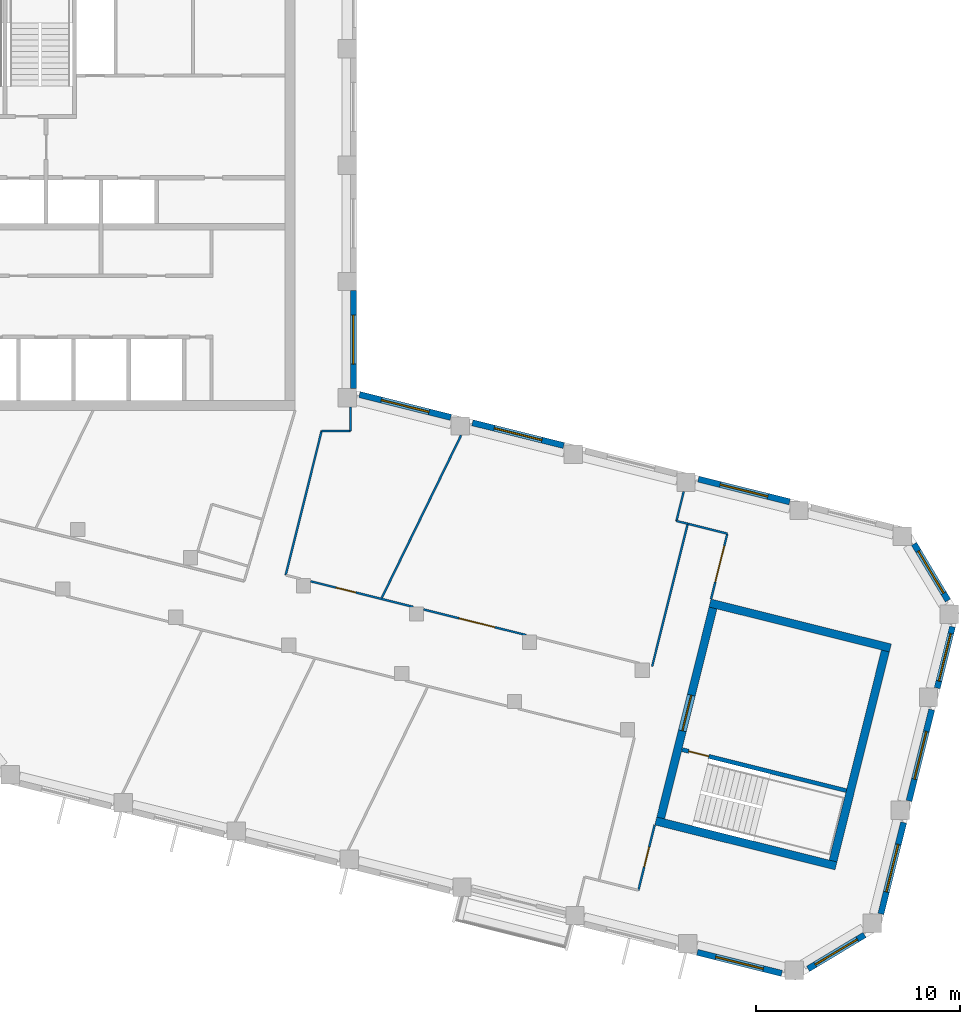
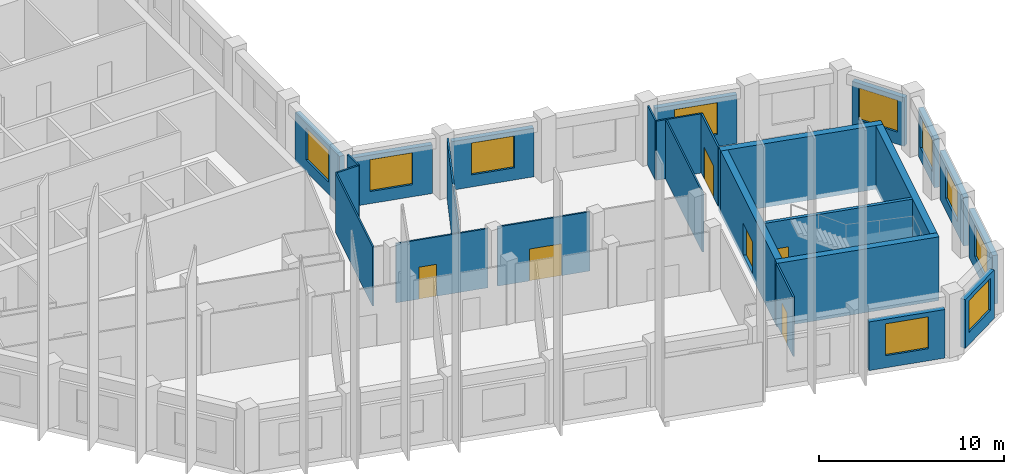
# One storey, part 4 of 8: 27 walls, 10 windows, 6 doors, 16 openings.
"""IFC4 building model written with IfcOpenShell, lengths in metres."""

from ifc_helpers import new_model, si_unit, direction, frame, frame_2d, origin, place, context, subcontext, project, spatial, rectangle, extrude, material, layer, layer_set, type_object, element, fill, save


model = new_model("IFC4")

# Units and contexts
model_context = context("Model", 3, precision=1e-05, world=origin(), true_north=direction((0.0, 1.0)))
body_context = subcontext(model_context, "Body", "Model", "MODEL_VIEW")
ifc_project = project(units=[si_unit("LENGTHUNIT", "METRE"), si_unit("AREAUNIT", "SQUARE_METRE"), si_unit("VOLUMEUNIT", "CUBIC_METRE"), si_unit("PLANEANGLEUNIT", "RADIAN"), si_unit("MASSUNIT", "GRAM", prefix="KILO")], contexts=[model_context])

# Site, building, storey
site_placement = place(None, origin())
site = spatial("IfcSite", under=ifc_project, at=site_placement, CompositionType="ELEMENT")
building_placement = place(site_placement, origin())
building = spatial("IfcBuilding", under=site, at=building_placement, Name="Meshkara Civic Tower", CompositionType="ELEMENT")
storey_placement = place(building_placement, frame((0.0, 0.0, 370.800048828125)))
storey = spatial("IfcBuildingStorey", under=building, at=storey_placement, Name="L85", CompositionType="ELEMENT", Elevation=370.800048828125)

# Wall
ifc_material_1 = material(Name="Corridor wall 100")
ifc_layer_1 = layer(ifc_material_1, 0.10009765625)
ifc_layer_set_1 = layer_set([ifc_layer_1], Name="Corridor wall 100")
wall_type_1 = type_object("IfcWallType", Name="Corridor wall 100", PredefinedType="PARTITIONING", material=ifc_layer_set_1)
wall_1_placement = place(storey_placement, frame((30.3359375, 6.0400390625, 0.0), z_axis=(0.0, 0.0, 1.0), x_axis=(0.2420145387, 0.970272623059, 0.0)))
element("IfcWall", 1, at=wall_1_placement, inside=storey, type_object=wall_type_1, Name="L85-W021", PredefinedType="PARTITIONING", context=body_context, shape_type="SweptSolid", body=[
    extrude(rectangle(XDim=7.2763671875, YDim=0.10009765625, at=frame_2d((3.63818359375, 0.0))), origin(), (0.0, 0.0, 1.0), 3.89990234375),
])

# Wall, opening, door
wall_2_placement = place(storey_placement, frame((31.56103515625, 5.735107421875, 0.0), z_axis=(0.0, 0.0, 1.0), x_axis=(0.970267382462, -0.242035548071, 0.0)))
wall_2 = element("IfcWall", 2, at=wall_2_placement, inside=storey, type_object=wall_type_1, Name="L85-W025", PredefinedType="PARTITIONING", context=body_context, shape_type="SweptSolid", body=[
    extrude(rectangle(XDim=5.169677734375, YDim=0.10009765625, at=frame_2d((2.5849609375, 0.0))), origin(), (0.0, 0.0, 1.0), 3.89990234375),
])
opening_1_placement = place(wall_2_placement, frame((1.280029296875, 0.0, 0.0)))
opening_1 = element("IfcOpeningElement", 3, at=opening_1_placement, cuts=wall_2, Name="Opening L85-D004", PredefinedType="OPENING", context=body_context, shape_type="SweptSolid", body=[
    extrude(rectangle(XDim=1.0, YDim=2.10009765625, at=frame_2d((0.5, 1.050048828125))), frame((0.0, 0.06005859375, 0.0), z_axis=(0.0, -1.0, 0.0), x_axis=(1.0, 0.0, 0.0)), (0.0, 0.0, 1.0), 0.1201171875),
])
ifc_material_2 = material(Name="Door 1000 x 2100")
door_type_1 = type_object("IfcDoorType", Name="Door 1000 x 2100", OperationType="SINGLE_SWING_LEFT", PredefinedType="DOOR", material=ifc_material_2)
door_1_placement = place(opening_1_placement, origin())
door_1 = element("IfcDoor", 4, at=door_1_placement, inside=storey, type_object=door_type_1, Name="L85-D004", OperationType="SINGLE_SWING_LEFT", OverallHeight=2.10009765625, OverallWidth=1.0, PredefinedType="DOOR", context=body_context, shape_type="SweptSolid", body=[
    extrude(rectangle(XDim=1.0, YDim=2.10009765625, at=frame_2d((0.5, 1.050048828125))), frame((0.0, 0.02490234375, 0.0), z_axis=(0.0, -1.0, 0.0), x_axis=(1.0, 0.0, 0.0)), (0.0, 0.0, 1.0), 0.050048828125),
])
fill(opening_1, door_1)

# Walls
wall_3_placement = place(storey_placement, frame((32.096923828125, 13.10009765625, 0.0), z_axis=(0.0, 0.0, 1.0), x_axis=(1.0, 0.0, 0.0)))
element("IfcWall", 5, at=wall_3_placement, inside=storey, type_object=wall_type_1, Name="L85-W026", PredefinedType="PARTITIONING", context=body_context, shape_type="SweptSolid", body=[
    extrude(rectangle(XDim=1.403076171875, YDim=0.10009765625, at=frame_2d((0.70166015625, 0.0))), origin(), (0.0, 0.0, 1.0), 3.89990234375),
])
wall_4_placement = place(storey_placement, frame((33.5, 13.10009765625, 0.0), z_axis=(0.0, 0.0, 1.0), x_axis=(0.0, 1.0, 0.0)))
element("IfcWall", 6, at=wall_4_placement, inside=storey, type_object=wall_type_1, Name="L85-W027", PredefinedType="PARTITIONING", context=body_context, shape_type="SweptSolid", body=[
    extrude(rectangle(XDim=1.1689453125, YDim=0.10009765625, at=frame_2d((0.58447265625, 0.0))), origin(), (0.0, 0.0, 1.0), 3.89990234375),
])

# Wall, opening, door
wall_5_placement = place(storey_placement, frame((42.10888671875, 3.10498046875, 0.0), z_axis=(0.0, 0.0, 1.0), x_axis=(-0.970289531541, 0.241946739969, 0.0)))
wall_5 = element("IfcWall", 7, at=wall_5_placement, inside=storey, type_object=wall_type_1, Name="L85-W030", PredefinedType="PARTITIONING", context=body_context, shape_type="SweptSolid", body=[
    extrude(rectangle(XDim=5.17041015625, YDim=0.10009765625, at=frame_2d((2.585205078125, 0.0))), origin(), (0.0, 0.0, 1.0), 3.89990234375),
])
opening_2_placement = place(wall_5_placement, frame((1.580078125, 0.0, 0.0)))
opening_2 = element("IfcOpeningElement", 8, at=opening_2_placement, cuts=wall_5, Name="Opening L85-D006", PredefinedType="OPENING", context=body_context, shape_type="SweptSolid", body=[
    extrude(rectangle(XDim=1.800048828125, YDim=2.10009765625, at=frame_2d((0.89990234375, 1.050048828125))), frame((0.0, 0.06005859375, 0.0), z_axis=(0.0, -1.0, 0.0), x_axis=(1.0, 0.0, 0.0)), (0.0, 0.0, 1.0), 0.1201171875),
])
ifc_material_3 = material(Name="Door pair 1800 x 2100")
door_type_2 = type_object("IfcDoorType", Name="Door pair 1800 x 2100", OperationType="SINGLE_SWING_LEFT", PredefinedType="DOOR", material=ifc_material_3)
door_2_placement = place(opening_2_placement, origin())
door_2 = element("IfcDoor", 9, at=door_2_placement, inside=storey, type_object=door_type_2, Name="L85-D006", OperationType="DOUBLE_DOOR_SINGLE_SWING", OverallHeight=2.10009765625, OverallWidth=1.800048828125, PredefinedType="DOOR", context=body_context, shape_type="SweptSolid", body=[
    extrude(rectangle(XDim=1.800048828125, YDim=2.10009765625, at=frame_2d((0.89990234375, 1.050048828125))), frame((0.0, 0.02490234375, 0.0), z_axis=(0.0, -1.0, 0.0), x_axis=(1.0, 0.0, 0.0)), (0.0, 0.0, 1.0), 0.050048828125),
])
fill(opening_2, door_2)

wall_6_placement = place(storey_placement, frame((47.611083984375, -9.39697265625, 0.0), z_axis=(0.0, 0.0, 1.0), x_axis=(0.241786986316, 0.970329352977, 0.0)))
wall_6 = element("IfcWall", 10, at=wall_6_placement, inside=storey, type_object=wall_type_1, Name="L85-W033", PredefinedType="PARTITIONING", context=body_context, shape_type="SweptSolid", body=[
    extrude(rectangle(XDim=3.2998046875, YDim=0.10009765625, at=frame_2d((1.64990234375, 0.0))), origin(), (0.0, 0.0, 1.0), 3.89990234375),
])
opening_3_placement = place(wall_6_placement, frame((1.179931640625, 0.0, 0.0)))
opening_3 = element("IfcOpeningElement", 11, at=opening_3_placement, cuts=wall_6, Name="Opening L85-D001", PredefinedType="OPENING", context=body_context, shape_type="SweptSolid", body=[
    extrude(rectangle(XDim=1.0, YDim=2.10009765625, at=frame_2d((0.5, 1.050048828125))), frame((0.0, 0.06005859375, 0.0), z_axis=(0.0, -1.0, 0.0), x_axis=(1.0, 0.0, 0.0)), (0.0, 0.0, 1.0), 0.1201171875),
])
door_3_placement = place(opening_3_placement, origin())
door_3 = element("IfcDoor", 12, at=door_3_placement, inside=storey, type_object=door_type_1, Name="L85-D001", OperationType="SINGLE_SWING_LEFT", OverallHeight=2.10009765625, OverallWidth=1.0, PredefinedType="DOOR", context=body_context, shape_type="SweptSolid", body=[
    extrude(rectangle(XDim=1.0, YDim=2.10009765625, at=frame_2d((0.5, 1.050048828125))), frame((0.0, 0.02490234375, 0.0), z_axis=(0.0, -1.0, 0.0), x_axis=(1.0, 0.0, 0.0)), (0.0, 0.0, 1.0), 0.050048828125),
])
fill(opening_3, door_3)

# Wall
wall_7_placement = place(storey_placement, frame((50.02490234375, 8.552001953125, 0.0), z_axis=(0.0, 0.0, 1.0), x_axis=(-0.241937193493, -0.970291911955, 0.0)))
element("IfcWall", 13, at=wall_7_placement, inside=storey, type_object=wall_type_1, Name="L85-W035", PredefinedType="PARTITIONING", context=body_context, shape_type="SweptSolid", body=[
    extrude(rectangle(XDim=7.199951171875, YDim=0.10009765625, at=frame_2d((3.60009765625, 0.0))), origin(), (0.0, 0.0, 1.0), 3.89990234375),
])

# Wall, opening, door
wall_8_placement = place(storey_placement, frame((51.1669921875, 4.865966796875, 0.0), z_axis=(0.0, 0.0, 1.0), x_axis=(0.241839284064, 0.97031631991, 0.0)))
wall_8 = element("IfcWall", 14, at=wall_8_placement, inside=storey, type_object=wall_type_1, Name="L85-W036", PredefinedType="PARTITIONING", context=body_context, shape_type="SweptSolid", body=[
    extrude(rectangle(XDim=3.300048828125, YDim=0.10009765625, at=frame_2d((1.64990234375, 0.0))), origin(), (0.0, 0.0, 1.0), 3.89990234375),
])
opening_4_placement = place(wall_8_placement, frame((0.8798828125, 0.0, 0.0)))
opening_4 = element("IfcOpeningElement", 15, at=opening_4_placement, cuts=wall_8, Name="Opening L85-D011", PredefinedType="OPENING", context=body_context, shape_type="SweptSolid", body=[
    extrude(rectangle(XDim=1.800048828125, YDim=2.10009765625, at=frame_2d((0.89990234375, 1.050048828125))), frame((0.0, 0.06005859375, 0.0), z_axis=(0.0, -1.0, 0.0), x_axis=(1.0, 0.0, 0.0)), (0.0, 0.0, 1.0), 0.1201171875),
])
door_4_placement = place(opening_4_placement, origin())
door_4 = element("IfcDoor", 16, at=door_4_placement, inside=storey, type_object=door_type_2, Name="L85-D011", OperationType="DOUBLE_DOOR_SINGLE_SWING", OverallHeight=2.10009765625, OverallWidth=1.800048828125, PredefinedType="DOOR", context=body_context, shape_type="SweptSolid", body=[
    extrude(rectangle(XDim=1.800048828125, YDim=2.10009765625, at=frame_2d((0.89990234375, 1.050048828125))), frame((0.0, 0.02490234375, 0.0), z_axis=(0.0, -1.0, 0.0), x_axis=(1.0, 0.0, 0.0)), (0.0, 0.0, 1.0), 0.050048828125),
])
fill(opening_4, door_4)

# Wall
wall_9_placement = place(storey_placement, frame((51.965087890625, 8.068115234375, 0.0), z_axis=(0.0, 0.0, 1.0), x_axis=(-0.970278804284, 0.241989755894, 0.0)))
element("IfcWall", 17, at=wall_9_placement, inside=storey, type_object=wall_type_1, Name="L85-W037", PredefinedType="PARTITIONING", context=body_context, shape_type="SweptSolid", body=[
    extrude(rectangle(XDim=1.99951171875, YDim=0.10009765625, at=frame_2d((0.999755859375, 0.0))), origin(), (0.0, 0.0, 1.0), 3.89990234375),
])

# Wall, opening, window
ifc_material_4 = material(Name="Insulated infill panel with bronze anodised aluminium cladding", Category="aluminium")
ifc_layer_2 = layer(ifc_material_4, 0.300048828125)
ifc_layer_set_2 = layer_set([ifc_layer_2], Name="EXTERNAL INFILL WALL 300")
wall_type_2 = type_object("IfcWallType", Name="EXTERNAL INFILL WALL 300", PredefinedType="SOLIDWALL", material=ifc_layer_set_2)
wall_10_placement = place(storey_placement, frame((55.01611328125, 9.6259765625, 0.0), z_axis=(0.0, 0.0, 1.0), x_axis=(-0.970298093093, 0.241912402618, 0.0)))
wall_10 = element("IfcWall", 18, at=wall_10_placement, inside=storey, type_object=wall_type_2, Name="External wall", PredefinedType="SOLIDWALL", context=body_context, shape_type="SweptSolid", body=[
    extrude(rectangle(XDim=4.609130859375, YDim=0.300048828125, at=frame_2d((2.3046875, 0.0))), origin(), (0.0, 0.0, 1.0), 3.199951171875),
])
opening_5_placement = place(wall_10_placement, frame((1.10498046875, 0.0, 0.800048828125)))
opening_5 = element("IfcOpeningElement", 19, at=opening_5_placement, cuts=wall_10, Name="Opening W7", PredefinedType="OPENING", context=body_context, shape_type="SweptSolid", body=[
    extrude(rectangle(XDim=2.39990234375, YDim=2.10009765625, at=frame_2d((1.199951171875, 1.050048828125))), frame((0.0, 0.159912109375, 0.0), z_axis=(0.0, -1.0, 0.0), x_axis=(1.0, 0.0, 0.0)), (0.0, 0.0, 1.0), 0.320068359375),
])
ifc_material_5 = material(Name="Tinted double glazing", Category="glass")
window_type = type_object("IfcWindowType", Name="WINDOW 2400x2100", PartitioningType="DOUBLE_PANEL_VERTICAL", PredefinedType="WINDOW", material=ifc_material_5)
window_1_placement = place(opening_5_placement, origin())
window_1 = element("IfcWindow", 20, at=window_1_placement, inside=storey, type_object=window_type, Name="Window", OverallHeight=2.10009765625, OverallWidth=2.39990234375, PartitioningType="DOUBLE_PANEL_VERTICAL", PredefinedType="WINDOW", context=body_context, shape_type="SweptSolid", body=[
    extrude(rectangle(XDim=2.39990234375, YDim=2.10009765625, at=frame_2d((1.199951171875, 1.050048828125))), frame((0.0, 0.030029296875, 0.0), z_axis=(0.0, -1.0, 0.0), x_axis=(1.0, 0.0, 0.0)), (0.0, 0.0, 1.0), 0.06005859375),
])
fill(opening_5, window_1)

wall_11_placement = place(storey_placement, frame((43.9541015625, 12.384033203125, 0.0), z_axis=(0.0, 0.0, 1.0), x_axis=(-0.970285689791, 0.241962146187, 0.0)))
wall_11 = element("IfcWall", 21, at=wall_11_placement, inside=storey, type_object=wall_type_2, Name="External wall", PredefinedType="SOLIDWALL", context=body_context, shape_type="SweptSolid", body=[
    extrude(rectangle(XDim=4.608154296875, YDim=0.300048828125, at=frame_2d((2.30419921875, 0.0))), origin(), (0.0, 0.0, 1.0), 3.199951171875),
])
opening_6_placement = place(wall_11_placement, frame((1.10400390625, 0.0, 0.800048828125)))
opening_6 = element("IfcOpeningElement", 22, at=opening_6_placement, cuts=wall_11, Name="Opening W7", PredefinedType="OPENING", context=body_context, shape_type="SweptSolid", body=[
    extrude(rectangle(XDim=2.39990234375, YDim=2.10009765625, at=frame_2d((1.199951171875, 1.050048828125))), frame((0.0, 0.159912109375, 0.0), z_axis=(0.0, -1.0, 0.0), x_axis=(1.0, 0.0, 0.0)), (0.0, 0.0, 1.0), 0.320068359375),
])
window_2_placement = place(opening_6_placement, origin())
window_2 = element("IfcWindow", 23, at=window_2_placement, inside=storey, type_object=window_type, Name="Window", OverallHeight=2.10009765625, OverallWidth=2.39990234375, PartitioningType="DOUBLE_PANEL_VERTICAL", PredefinedType="WINDOW", context=body_context, shape_type="SweptSolid", body=[
    extrude(rectangle(XDim=2.39990234375, YDim=2.10009765625, at=frame_2d((1.199951171875, 1.050048828125))), frame((0.0, 0.030029296875, 0.0), z_axis=(0.0, -1.0, 0.0), x_axis=(1.0, 0.0, 0.0)), (0.0, 0.0, 1.0), 0.06005859375),
])
fill(opening_6, window_2)

wall_12_placement = place(storey_placement, frame((38.424072265625, 13.762939453125, 0.0), z_axis=(0.0, 0.0, 1.0), x_axis=(-0.970248341479, 0.24211186641, 0.0)))
wall_12 = element("IfcWall", 24, at=wall_12_placement, inside=storey, type_object=wall_type_2, Name="External wall", PredefinedType="SOLIDWALL", context=body_context, shape_type="SweptSolid", body=[
    extrude(rectangle(XDim=4.609375, YDim=0.300048828125, at=frame_2d((2.3046875, 0.0))), origin(), (0.0, 0.0, 1.0), 3.199951171875),
])
opening_7_placement = place(wall_12_placement, frame((1.10498046875, 0.0, 0.800048828125)))
opening_7 = element("IfcOpeningElement", 25, at=opening_7_placement, cuts=wall_12, Name="Opening W7", PredefinedType="OPENING", context=body_context, shape_type="SweptSolid", body=[
    extrude(rectangle(XDim=2.39990234375, YDim=2.10009765625, at=frame_2d((1.199951171875, 1.050048828125))), frame((0.0, 0.159912109375, 0.0), z_axis=(0.0, -1.0, 0.0), x_axis=(1.0, 0.0, 0.0)), (0.0, 0.0, 1.0), 0.320068359375),
])
window_3_placement = place(opening_7_placement, origin())
window_3 = element("IfcWindow", 26, at=window_3_placement, inside=storey, type_object=window_type, Name="Window", OverallHeight=2.10009765625, OverallWidth=2.39990234375, PartitioningType="DOUBLE_PANEL_VERTICAL", PredefinedType="WINDOW", context=body_context, shape_type="SweptSolid", body=[
    extrude(rectangle(XDim=2.39990234375, YDim=2.10009765625, at=frame_2d((1.199951171875, 1.050048828125))), frame((0.0, 0.030029296875, 0.0), z_axis=(0.0, -1.0, 0.0), x_axis=(1.0, 0.0, 0.0)), (0.0, 0.0, 1.0), 0.06005859375),
])
fill(opening_7, window_3)

wall_13_placement = place(storey_placement, frame((33.64990234375, 15.1689453125, 0.0), z_axis=(0.0, 0.0, 1.0), x_axis=(0.0, 1.0, 0.0)))
wall_13 = element("IfcWall", 27, at=wall_13_placement, inside=storey, type_object=wall_type_2, Name="External wall", PredefinedType="SOLIDWALL", context=body_context, shape_type="SweptSolid", body=[
    extrude(rectangle(XDim=4.800048828125, YDim=0.300048828125, at=frame_2d((2.39990234375, 0.0))), origin(), (0.0, 0.0, 1.0), 3.199951171875),
])
opening_8_placement = place(wall_13_placement, frame((1.199951171875, 0.0, 0.800048828125)))
opening_8 = element("IfcOpeningElement", 28, at=opening_8_placement, cuts=wall_13, Name="Opening W7", PredefinedType="OPENING", context=body_context, shape_type="SweptSolid", body=[
    extrude(rectangle(XDim=2.39990234375, YDim=2.10009765625, at=frame_2d((1.199951171875, 1.050048828125))), frame((0.0, 0.159912109375, 0.0), z_axis=(0.0, -1.0, 0.0), x_axis=(1.0, 0.0, 0.0)), (0.0, 0.0, 1.0), 0.320068359375),
])
window_4_placement = place(opening_8_placement, origin())
window_4 = element("IfcWindow", 29, at=window_4_placement, inside=storey, type_object=window_type, Name="Window", OverallHeight=2.10009765625, OverallWidth=2.39990234375, PartitioningType="DOUBLE_PANEL_VERTICAL", PredefinedType="WINDOW", context=body_context, shape_type="SweptSolid", body=[
    extrude(rectangle(XDim=2.39990234375, YDim=2.10009765625, at=frame_2d((1.199951171875, 1.050048828125))), frame((0.0, 0.030029296875, 0.0), z_axis=(0.0, -1.0, 0.0), x_axis=(1.0, 0.0, 0.0)), (0.0, 0.0, 1.0), 0.06005859375),
])
fill(opening_8, window_4)

wall_14_placement = place(storey_placement, frame((50.491943359375, -12.43505859375, 0.0), z_axis=(0.0, 0.0, 1.0), x_axis=(0.970323940244, -0.241808707429, 0.0)))
wall_14 = element("IfcWall", 30, at=wall_14_placement, inside=storey, type_object=wall_type_2, Name="External wall", PredefinedType="SOLIDWALL", context=body_context, shape_type="SweptSolid", body=[
    extrude(rectangle(XDim=4.267822265625, YDim=0.300048828125, at=frame_2d((2.1337890625, 0.0))), origin(), (0.0, 0.0, 1.0), 3.199951171875),
])
opening_9_placement = place(wall_14_placement, frame((0.93408203125, 0.0, 0.800048828125)))
opening_9 = element("IfcOpeningElement", 31, at=opening_9_placement, cuts=wall_14, Name="Opening W7", PredefinedType="OPENING", context=body_context, shape_type="SweptSolid", body=[
    extrude(rectangle(XDim=2.39990234375, YDim=2.10009765625, at=frame_2d((1.199951171875, 1.050048828125))), frame((0.0, 0.159912109375, 0.0), z_axis=(0.0, -1.0, 0.0), x_axis=(1.0, 0.0, 0.0)), (0.0, 0.0, 1.0), 0.320068359375),
])
window_5_placement = place(opening_9_placement, origin())
window_5 = element("IfcWindow", 32, at=window_5_placement, inside=storey, type_object=window_type, Name="Window", OverallHeight=2.10009765625, OverallWidth=2.39990234375, PartitioningType="DOUBLE_PANEL_VERTICAL", PredefinedType="WINDOW", context=body_context, shape_type="SweptSolid", body=[
    extrude(rectangle(XDim=2.39990234375, YDim=2.10009765625, at=frame_2d((1.199951171875, 1.050048828125))), frame((0.0, 0.030029296875, 0.0), z_axis=(0.0, -1.0, 0.0), x_axis=(1.0, 0.0, 0.0)), (0.0, 0.0, 1.0), 0.06005859375),
])
fill(opening_9, window_5)

wall_15_placement = place(storey_placement, frame((55.9189453125, -13.2470703125, 0.0), z_axis=(0.0, 0.0, 1.0), x_axis=(0.857239224167, 0.514918355226, 0.0)))
wall_15 = element("IfcWall", 33, at=wall_15_placement, inside=storey, type_object=wall_type_2, Name="External wall", PredefinedType="SOLIDWALL", context=body_context, shape_type="SweptSolid", body=[
    extrude(rectangle(XDim=3.22802734375, YDim=0.300048828125, at=frame_2d((1.614013671875, 0.0))), origin(), (0.0, 0.0, 1.0), 3.199951171875),
])
opening_10_placement = place(wall_15_placement, frame((0.4140625, 0.0, 0.800048828125)))
opening_10 = element("IfcOpeningElement", 34, at=opening_10_placement, cuts=wall_15, Name="Opening W7", PredefinedType="OPENING", context=body_context, shape_type="SweptSolid", body=[
    extrude(rectangle(XDim=2.39990234375, YDim=2.10009765625, at=frame_2d((1.199951171875, 1.050048828125))), frame((0.0, 0.159912109375, 0.0), z_axis=(0.0, -1.0, 0.0), x_axis=(1.0, 0.0, 0.0)), (0.0, 0.0, 1.0), 0.320068359375),
])
window_6_placement = place(opening_10_placement, origin())
window_6 = element("IfcWindow", 35, at=window_6_placement, inside=storey, type_object=window_type, Name="Window", OverallHeight=2.10009765625, OverallWidth=2.39990234375, PartitioningType="DOUBLE_PANEL_VERTICAL", PredefinedType="WINDOW", context=body_context, shape_type="SweptSolid", body=[
    extrude(rectangle(XDim=2.39990234375, YDim=2.10009765625, at=frame_2d((1.199951171875, 1.050048828125))), frame((0.0, 0.030029296875, 0.0), z_axis=(0.0, -1.0, 0.0), x_axis=(1.0, 0.0, 0.0)), (0.0, 0.0, 1.0), 0.06005859375),
])
fill(opening_10, window_6)

wall_16_placement = place(storey_placement, frame((59.485107421875, -10.552001953125, 0.0), z_axis=(0.0, 0.0, 1.0), x_axis=(0.241924836652, 0.970294992984, 0.0)))
wall_16 = element("IfcWall", 36, at=wall_16_placement, inside=storey, type_object=wall_type_2, Name="External wall", PredefinedType="SOLIDWALL", context=body_context, shape_type="SweptSolid", body=[
    extrude(rectangle(XDim=4.60888671875, YDim=0.300048828125, at=frame_2d((2.304443359375, 0.0))), origin(), (0.0, 0.0, 1.0), 3.199951171875),
])
opening_11_placement = place(wall_16_placement, frame((1.10498046875, 0.0, 0.800048828125)))
opening_11 = element("IfcOpeningElement", 37, at=opening_11_placement, cuts=wall_16, Name="Opening W7", PredefinedType="OPENING", context=body_context, shape_type="SweptSolid", body=[
    extrude(rectangle(XDim=2.39990234375, YDim=2.10009765625, at=frame_2d((1.199951171875, 1.050048828125))), frame((0.0, 0.159912109375, 0.0), z_axis=(0.0, -1.0, 0.0), x_axis=(1.0, 0.0, 0.0)), (0.0, 0.0, 1.0), 0.320068359375),
])
window_7_placement = place(opening_11_placement, origin())
window_7 = element("IfcWindow", 38, at=window_7_placement, inside=storey, type_object=window_type, Name="Window", OverallHeight=2.10009765625, OverallWidth=2.39990234375, PartitioningType="DOUBLE_PANEL_VERTICAL", PredefinedType="WINDOW", context=body_context, shape_type="SweptSolid", body=[
    extrude(rectangle(XDim=2.39990234375, YDim=2.10009765625, at=frame_2d((1.199951171875, 1.050048828125))), frame((0.0, 0.030029296875, 0.0), z_axis=(0.0, -1.0, 0.0), x_axis=(1.0, 0.0, 0.0)), (0.0, 0.0, 1.0), 0.06005859375),
])
fill(opening_11, window_7)

wall_17_placement = place(storey_placement, frame((60.864013671875, -5.02099609375, 0.0), z_axis=(0.0, 0.0, 1.0), x_axis=(0.241775045801, 0.97033232824, 0.0)))
wall_17 = element("IfcWall", 39, at=wall_17_placement, inside=storey, type_object=wall_type_2, Name="External wall", PredefinedType="SOLIDWALL", context=body_context, shape_type="SweptSolid", body=[
    extrude(rectangle(XDim=4.607666015625, YDim=0.300048828125, at=frame_2d((2.3037109375, 0.0))), origin(), (0.0, 0.0, 1.0), 3.199951171875),
])
opening_12_placement = place(wall_17_placement, frame((1.10400390625, 0.0, 0.800048828125)))
opening_12 = element("IfcOpeningElement", 40, at=opening_12_placement, cuts=wall_17, Name="Opening W7", PredefinedType="OPENING", context=body_context, shape_type="SweptSolid", body=[
    extrude(rectangle(XDim=2.39990234375, YDim=2.10009765625, at=frame_2d((1.199951171875, 1.050048828125))), frame((0.0, 0.159912109375, 0.0), z_axis=(0.0, -1.0, 0.0), x_axis=(1.0, 0.0, 0.0)), (0.0, 0.0, 1.0), 0.320068359375),
])
window_8_placement = place(opening_12_placement, origin())
window_8 = element("IfcWindow", 41, at=window_8_placement, inside=storey, type_object=window_type, Name="Window", OverallHeight=2.10009765625, OverallWidth=2.39990234375, PartitioningType="DOUBLE_PANEL_VERTICAL", PredefinedType="WINDOW", context=body_context, shape_type="SweptSolid", body=[
    extrude(rectangle(XDim=2.39990234375, YDim=2.10009765625, at=frame_2d((1.199951171875, 1.050048828125))), frame((0.0, 0.030029296875, 0.0), z_axis=(0.0, -1.0, 0.0), x_axis=(1.0, 0.0, 0.0)), (0.0, 0.0, 1.0), 0.06005859375),
])
fill(opening_12, window_8)

wall_18_placement = place(storey_placement, frame((62.241943359375, 0.509033203125, 0.0), z_axis=(0.0, 0.0, 1.0), x_axis=(0.241941811838, 0.970290760383, 0.0)))
wall_18 = element("IfcWall", 42, at=wall_18_placement, inside=storey, type_object=wall_type_2, Name="External wall", PredefinedType="SOLIDWALL", context=body_context, shape_type="SweptSolid", body=[
    extrude(rectangle(XDim=3.095947265625, YDim=0.300048828125, at=frame_2d((1.5478515625, 0.0))), origin(), (0.0, 0.0, 1.0), 3.199951171875),
])
opening_13_placement = place(wall_18_placement, frame((0.347900390625, 0.0, 0.800048828125)))
opening_13 = element("IfcOpeningElement", 43, at=opening_13_placement, cuts=wall_18, Name="Opening W7", PredefinedType="OPENING", context=body_context, shape_type="SweptSolid", body=[
    extrude(rectangle(XDim=2.39990234375, YDim=2.10009765625, at=frame_2d((1.199951171875, 1.050048828125))), frame((0.0, 0.159912109375, 0.0), z_axis=(0.0, -1.0, 0.0), x_axis=(1.0, 0.0, 0.0)), (0.0, 0.0, 1.0), 0.320068359375),
])
window_9_placement = place(opening_13_placement, origin())
window_9 = element("IfcWindow", 44, at=window_9_placement, inside=storey, type_object=window_type, Name="Window", OverallHeight=2.10009765625, OverallWidth=2.39990234375, PartitioningType="DOUBLE_PANEL_VERTICAL", PredefinedType="WINDOW", context=body_context, shape_type="SweptSolid", body=[
    extrude(rectangle(XDim=2.39990234375, YDim=2.10009765625, at=frame_2d((1.199951171875, 1.050048828125))), frame((0.0, 0.030029296875, 0.0), z_axis=(0.0, -1.0, 0.0), x_axis=(1.0, 0.0, 0.0)), (0.0, 0.0, 1.0), 0.06005859375),
])
fill(opening_13, window_9)

wall_19_placement = place(storey_placement, frame((62.77099609375, 4.799072265625, 0.0), z_axis=(0.0, 0.0, 1.0), x_axis=(-0.514951742604, 0.857219168468, 0.0)))
wall_19 = element("IfcWall", 45, at=wall_19_placement, inside=storey, type_object=wall_type_2, Name="External wall", PredefinedType="SOLIDWALL", context=body_context, shape_type="SweptSolid", body=[
    extrude(rectangle(XDim=3.227783203125, YDim=0.300048828125, at=frame_2d((1.61376953125, 0.0))), origin(), (0.0, 0.0, 1.0), 3.199951171875),
])
opening_14_placement = place(wall_19_placement, frame((0.4140625, 0.0, 0.800048828125)))
opening_14 = element("IfcOpeningElement", 46, at=opening_14_placement, cuts=wall_19, Name="Opening W7", PredefinedType="OPENING", context=body_context, shape_type="SweptSolid", body=[
    extrude(rectangle(XDim=2.39990234375, YDim=2.10009765625, at=frame_2d((1.199951171875, 1.050048828125))), frame((0.0, 0.159912109375, 0.0), z_axis=(0.0, -1.0, 0.0), x_axis=(1.0, 0.0, 0.0)), (0.0, 0.0, 1.0), 0.320068359375),
])
window_10_placement = place(opening_14_placement, origin())
window_10 = element("IfcWindow", 47, at=window_10_placement, inside=storey, type_object=window_type, Name="Window", OverallHeight=2.10009765625, OverallWidth=2.39990234375, PartitioningType="DOUBLE_PANEL_VERTICAL", PredefinedType="WINDOW", context=body_context, shape_type="SweptSolid", body=[
    extrude(rectangle(XDim=2.39990234375, YDim=2.10009765625, at=frame_2d((1.199951171875, 1.050048828125))), frame((0.0, 0.030029296875, 0.0), z_axis=(0.0, -1.0, 0.0), x_axis=(1.0, 0.0, 0.0)), (0.0, 0.0, 1.0), 0.06005859375),
])
fill(opening_14, window_10)

# Walls
ifc_material_6 = material(Name="Concrete C50", Category="concrete")
ifc_layer_3 = layer(ifc_material_6, 0.39990234375)
ifc_layer_set_3 = layer_set([ifc_layer_3], Name="End core ring wall 400 C50")
wall_type_3 = type_object("IfcWallType", Name="End core ring wall 400 C50", PredefinedType="SHEAR", material=ifc_layer_set_3)
wall_20_placement = place(storey_placement, frame((48.4580078125, -6.0009765625, -0.300048828125), z_axis=(0.0, 0.0, 1.0), x_axis=(0.970281225948, -0.241980045814, 0.0)))
element("IfcWall", 48, at=wall_20_placement, inside=storey, type_object=wall_type_3, Name="L85-C032", PredefinedType="SHEAR", context=body_context, shape_type="SweptSolid", body=[
    extrude(rectangle(XDim=9.099609375, YDim=0.39990234375, at=frame_2d((4.5498046875, 0.0))), origin(), (0.0, 0.0, 1.0), 4.199951171875),
])
wall_21_placement = place(storey_placement, frame((51.118896484375, 4.672119140625, -0.300048828125), z_axis=(0.0, 0.0, 1.0), x_axis=(0.970300121521, -0.241904266553, 0.0)))
element("IfcWall", 49, at=wall_21_placement, inside=storey, type_object=wall_type_3, Name="L85-C033", PredefinedType="SHEAR", context=body_context, shape_type="SweptSolid", body=[
    extrude(rectangle(XDim=9.099365234375, YDim=0.39990234375, at=frame_2d((4.5498046875, 0.0))), origin(), (0.0, 0.0, 1.0), 4.199951171875),
])

# Wall, opening, door
wall_22_placement = place(storey_placement, frame((48.699951171875, -5.85595703125, -0.300048828125), z_axis=(0.0, 0.0, 1.0), x_axis=(0.241869030534, 0.970308905488, 0.0)))
wall_22 = element("IfcWall", 50, at=wall_22_placement, inside=storey, type_object=wall_type_3, Name="L85-C034", PredefinedType="SHEAR", context=body_context, shape_type="SweptSolid", body=[
    extrude(rectangle(XDim=10.6005859375, YDim=0.39990234375, at=frame_2d((5.30029296875, 0.0))), origin(), (0.0, 0.0, 1.0), 4.199951171875),
])
opening_15_placement = place(wall_22_placement, frame((4.39990234375, 0.0, 0.300048828125)))
opening_15 = element("IfcOpeningElement", 51, at=opening_15_placement, cuts=wall_22, Name="Opening L85-K202", PredefinedType="OPENING", context=body_context, shape_type="SweptSolid", body=[
    extrude(rectangle(XDim=1.800048828125, YDim=2.10009765625, at=frame_2d((0.89990234375, 1.050048828125))), frame((0.0, 0.2099609375, 0.0), z_axis=(0.0, -1.0, 0.0), x_axis=(1.0, 0.0, 0.0)), (0.0, 0.0, 1.0), 0.419921875),
])
ifc_material_7 = material(Name="Fire-rated door leaf in steel frame", Category="steel")
door_type_3 = type_object("IfcDoorType", Name="Core double door 1800 EI 60", OperationType="DOUBLE_DOOR_SINGLE_SWING", PredefinedType="DOOR", material=ifc_material_7)
door_5_placement = place(opening_15_placement, origin())
door_5 = element("IfcDoor", 52, at=door_5_placement, inside=storey, type_object=door_type_3, Name="L85-K202", OperationType="DOUBLE_DOOR_SINGLE_SWING", OverallHeight=2.10009765625, OverallWidth=1.800048828125, PredefinedType="DOOR", context=body_context, shape_type="SweptSolid", body=[
    extrude(rectangle(XDim=1.800048828125, YDim=2.10009765625, at=frame_2d((0.89990234375, 1.050048828125))), frame((0.0, 0.02490234375, 0.0), z_axis=(0.0, -1.0, 0.0), x_axis=(1.0, 0.0, 0.0)), (0.0, 0.0, 1.0), 0.050048828125),
])
fill(opening_15, door_5)

# Walls
wall_23_placement = place(storey_placement, frame((57.14208984375, -7.9599609375, -0.300048828125), z_axis=(0.0, 0.0, 1.0), x_axis=(0.241890652548, 0.970303515509, 0.0)))
element("IfcWall", 53, at=wall_23_placement, inside=storey, type_object=wall_type_3, Name="L85-C035", PredefinedType="SHEAR", context=body_context, shape_type="SweptSolid", body=[
    extrude(rectangle(XDim=10.599609375, YDim=0.39990234375, at=frame_2d((5.2998046875, 0.0))), origin(), (0.0, 0.0, 1.0), 4.199951171875),
])
ifc_material_8 = material(Name="Partition 100")
ifc_layer_4 = layer(ifc_material_8, 0.10009765625)
ifc_layer_set_4 = layer_set([ifc_layer_4], Name="Partition 100")
wall_type_4 = type_object("IfcWallType", Name="Partition 100", PredefinedType="PARTITIONING", material=ifc_layer_set_4)
wall_24_placement = place(storey_placement, frame((35.0439453125, 4.927978515625, 0.0), z_axis=(0.0, 0.0, 1.0), x_axis=(0.438439378179, 0.898760764421, 0.0)))
element("IfcWall", 54, at=wall_24_placement, inside=storey, type_object=wall_type_4, Name="L85-W051", PredefinedType="PARTITIONING", context=body_context, shape_type="SweptSolid", body=[
    extrude(rectangle(XDim=8.85888671875, YDim=0.10009765625, at=frame_2d((4.429443359375, 0.0))), origin(), (0.0, 0.0, 1.0), 3.89990234375),
])
wall_25_placement = place(storey_placement, frame((49.470947265625, 8.68994140625, 0.0), z_axis=(0.0, 0.0, 1.0), x_axis=(0.241646512959, 0.970364345375, 0.0)))
element("IfcWall", 55, at=wall_25_placement, inside=storey, type_object=wall_type_4, Name="L85-W054", PredefinedType="PARTITIONING", context=body_context, shape_type="SweptSolid", body=[
    extrude(rectangle(XDim=1.486083984375, YDim=0.10009765625, at=frame_2d((0.7431640625, 0.0))), origin(), (0.0, 0.0, 1.0), 3.89990234375),
])
wall_26_placement = place(storey_placement, frame((50.029052734375, 8.551025390625, 0.0), z_axis=(0.0, 0.0, 1.0), x_axis=(-0.970391687927, 0.241536688727, 0.0)))
element("IfcWall", 56, at=wall_26_placement, inside=storey, type_object=wall_type_4, Name="L85-W055", PredefinedType="PARTITIONING", context=body_context, shape_type="SweptSolid", body=[
    extrude(rectangle(XDim=0.5751953125, YDim=0.10009765625, at=frame_2d((0.28759765625, 0.0))), origin(), (0.0, 0.0, 1.0), 3.89990234375),
])

# Wall, opening, door
ifc_material_9 = material(Name="Concrete C40/50", Category="concrete")
ifc_layer_5 = layer(ifc_material_9, 0.199951171875)
ifc_layer_set_5 = layer_set([ifc_layer_5], Name="Stair enclosure wall 200 C40/50")
wall_type_5 = type_object("IfcWallType", Name="Stair enclosure wall 200 C40/50", PredefinedType="SOLIDWALL", material=ifc_layer_set_5)
wall_27_placement = place(storey_placement, frame((49.740966796875, -2.508056640625, 0.0), z_axis=(0.0, 0.0, 1.0), x_axis=(0.970289402158, -0.241947258837, 0.0)))
wall_27 = element("IfcWall", 57, at=wall_27_placement, inside=storey, type_object=wall_type_5, Name="L85-C036", PredefinedType="SOLIDWALL", context=body_context, shape_type="SweptSolid", body=[
    extrude(rectangle(XDim=8.299560546875, YDim=0.199951171875, at=frame_2d((4.14990234375, 0.0))), origin(), (0.0, 0.0, 1.0), 3.89990234375),
])
opening_16_placement = place(wall_27_placement, frame((0.35009765625, 0.0, 0.0)))
opening_16 = element("IfcOpeningElement", 58, at=opening_16_placement, cuts=wall_27, Name="Opening L85-K201", PredefinedType="OPENING", context=body_context, shape_type="SweptSolid", body=[
    extrude(rectangle(XDim=1.0, YDim=2.10009765625, at=frame_2d((0.5, 1.050048828125))), frame((0.0, 0.10986328125, 0.0), z_axis=(0.0, -1.0, 0.0), x_axis=(1.0, 0.0, 0.0)), (0.0, 0.0, 1.0), 0.219970703125),
])
ifc_material_10 = material(Name="Fire-rated door leaf in steel frame", Category="steel")
door_type_4 = type_object("IfcDoorType", Name="Stair door 1000 EI 120", OperationType="SINGLE_SWING_LEFT", PredefinedType="DOOR", material=ifc_material_10)
door_6_placement = place(opening_16_placement, origin())
door_6 = element("IfcDoor", 59, at=door_6_placement, inside=storey, type_object=door_type_4, Name="L85-K201", OperationType="SINGLE_SWING_LEFT", OverallHeight=2.10009765625, OverallWidth=1.0, PredefinedType="DOOR", context=body_context, shape_type="SweptSolid", body=[
    extrude(rectangle(XDim=1.0, YDim=2.10009765625, at=frame_2d((0.5, 1.050048828125))), frame((0.0, 0.02490234375, 0.0), z_axis=(0.0, -1.0, 0.0), x_axis=(1.0, 0.0, 0.0)), (0.0, 0.0, 1.0), 0.050048828125),
])
fill(opening_16, door_6)

save(model, "model.ifc")
